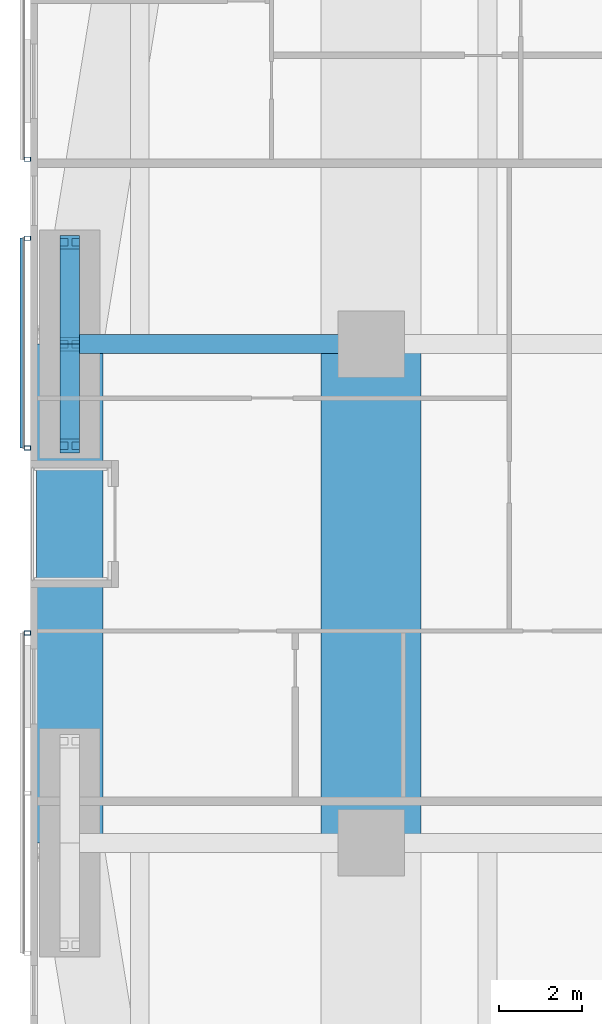
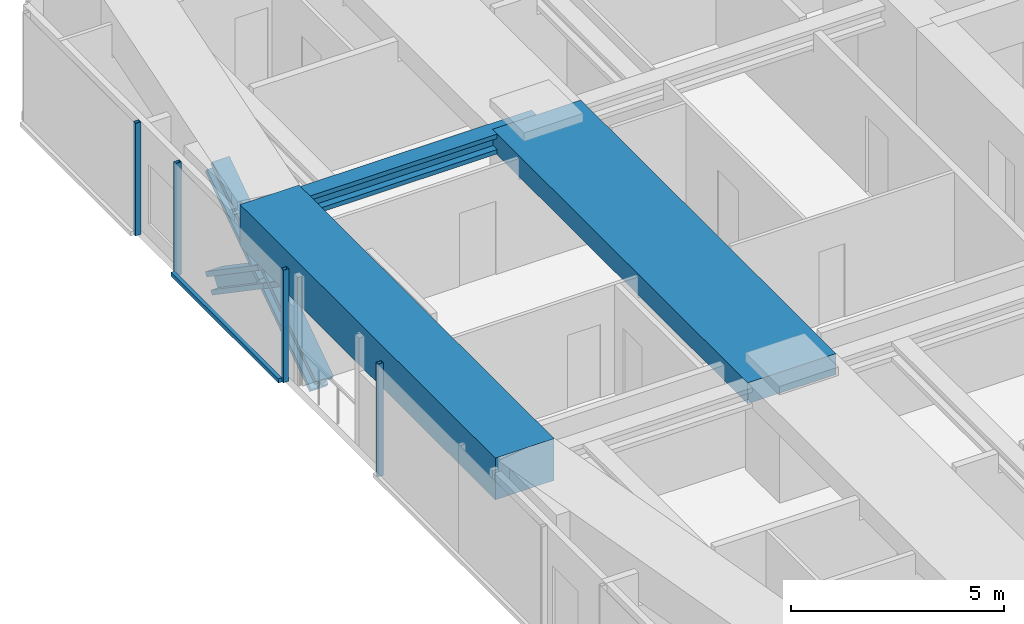
# One storey, part 5 of 22: 9 members, 3 beams, 3 elements without a shape of their own.
"""IFC4 building model written with IfcOpenShell, lengths in metres."""

from ifc_helpers import new_model, si_unit, direction, frame, origin, origin_2d, place, context, subcontext, project, spatial, rectangle, hollow_rectangle, i_section, extrude, material, material_profile, profile_set, type_object, element, aggregate, save


model = new_model("IFC4")

# Units and contexts
model_context = context("Model", 3, precision=1e-05, world=origin(), true_north=direction((0.0, 1.0)))
body_context = subcontext(model_context, "Body", "Model", "MODEL_VIEW")
ifc_project = project(units=[si_unit("LENGTHUNIT", "METRE"), si_unit("AREAUNIT", "SQUARE_METRE"), si_unit("VOLUMEUNIT", "CUBIC_METRE"), si_unit("PLANEANGLEUNIT", "RADIAN"), si_unit("MASSUNIT", "GRAM", prefix="KILO")], contexts=[model_context])

# Site, building, storey
site_placement = place(None, origin())
site = spatial("IfcSite", under=ifc_project, at=site_placement, CompositionType="ELEMENT")
building_placement = place(site_placement, origin())
building = spatial("IfcBuilding", under=site, at=building_placement, Name="Jalousie Tower", CompositionType="ELEMENT")
storey_placement = place(building_placement, frame((0.0, 0.0, 64.550048828125)))
storey = spatial("IfcBuildingStorey", under=building, at=storey_placement, Name="L17", CompositionType="ELEMENT", Elevation=64.550048828125)

# Beam
ifc_material_1 = material(Name="Steel ASTM A992 Grade 50", Category="steel")
ifc_material_profile_1 = material_profile(ifc_material_1, i_section(OverallWidth=0.45458984375, OverallDepth=0.569091796875, WebThickness=0.077880859375, FlangeThickness=0.124755859375, at=origin_2d()), Name="W14X730")
ifc_profile_set_1 = profile_set([ifc_material_profile_1], Name="Steel ASTM A992 Grade 50")
beam_type_1 = type_object("IfcBeamType", Name="LEAN COLLECTOR W14X730", PredefinedType="BEAM", material=ifc_profile_set_1)
beam_1_placement = place(storey_placement, frame((2.949951171875, 25.0, 2.825439453125), z_axis=(1.0, 0.0, 0.0), x_axis=(0.0, 1.0, 0.0)))
element("IfcBeam", 1, at=beam_1_placement, inside=storey, type_object=beam_type_1, Name="Lean collector under L18", PredefinedType="BEAM", context=body_context, shape_type="SweptSolid", body=[
    extrude(i_section(OverallWidth=0.45458984375, OverallDepth=0.569091796875, WebThickness=0.077880859375, FlangeThickness=0.124755859375, at=origin_2d()), origin(), (0.0, 0.0, 1.0), 7.25),
])

# Members
ifc_material_2 = material(Name="Steel ASTM A992 Grade 50", Category="steel")
ifc_material_profile_2 = material_profile(ifc_material_2, i_section(OverallWidth=0.472412109375, OverallDepth=0.5791015625, WebThickness=0.094970703125, FlangeThickness=0.1298828125, at=origin_2d()), Name="W14X808")
ifc_profile_set_2 = profile_set([ifc_material_profile_2], Name="Steel ASTM A992 Grade 50")
member_type_1 = type_object("IfcMemberType", Name="PERIMETER BRACE W14X808", PredefinedType="BRACE", material=ifc_profile_set_2)
for number, where, z_axis, x_axis, name in (
    (2, (2.949951171875, 22.550048828125, -0.60009765625), (0.0, 0.825500916831, 0.564400776321), (-1.0, 0.0, 0.0), "Perimeter brace 13 L17 part 1"),
    (3, (2.949951171875, 25.0, 1.074951171875), (0.0, 0.825500916831, 0.564400776321), (-1.0, 0.0, 0.0), "Perimeter brace 13 L17 part 2"),
    (4, (2.949951171875, 27.449951171875, -0.60009765625), (0.0, -0.825500916831, 0.564400776321), (1.0, 0.0, 0.0), "Perimeter brace 13 L17 part 3"),
    (5, (2.949951171875, 25.0, 1.074951171875), (0.0, -0.825500916831, 0.564400776321), (1.0, 0.0, 0.0), "Perimeter brace 13 L17 part 4"),
):
    element("IfcMember", number, at=place(storey_placement, frame(where, z_axis=z_axis, x_axis=x_axis)), inside=storey, type_object=member_type_1, Name=name, PredefinedType="BRACE", context=body_context, shape_type="SweptSolid", body=[
        extrude(i_section(OverallWidth=0.472412109375, OverallDepth=0.5791015625, WebThickness=0.094970703125, FlangeThickness=0.1298828125, at=origin_2d()), origin(), (0.0, 0.0, 1.0), 2.9677734375),
    ])

# Beams
ifc_material_3 = material(Name="Concrete f'c 40 MPa", Category="concrete")
ifc_material_profile_3 = material_profile(ifc_material_3, rectangle(XDim=1.60009765625, YDim=1.199951171875, at=origin_2d()), Name="RC 1600x1200")
ifc_profile_set_3 = profile_set([ifc_material_profile_3], Name="Concrete f'c 40 MPa")
beam_type_2 = type_object("IfcBeamType", Name="RC BEAM 1600x1200", PredefinedType="BEAM", material=ifc_profile_set_3)
beam_2_placement = place(storey_placement, frame((2.949951171875, 25.0, 2.75), z_axis=(0.0, -1.0, 0.0), x_axis=(1.0, 0.0, 0.0)))
element("IfcBeam", 6, at=beam_2_placement, inside=storey, type_object=beam_type_2, Name="Edge band beam 13-14 under L18", PredefinedType="BEAM", context=body_context, shape_type="SweptSolid", body=[
    extrude(rectangle(XDim=1.60009765625, YDim=1.199951171875, at=origin_2d()), origin(), (0.0, 0.0, 1.0), 12.0),
])
ifc_material_4 = material(Name="Concrete f'c 40 MPa", Category="concrete")
ifc_material_profile_4 = material_profile(ifc_material_4, rectangle(XDim=2.39990234375, YDim=0.60009765625, at=origin_2d()), Name="RC 2400x600")
ifc_profile_set_4 = profile_set([ifc_material_profile_4], Name="Concrete f'c 40 MPa")
beam_type_3 = type_object("IfcBeamType", Name="RC BEAM 2400x600", PredefinedType="BEAM", material=ifc_profile_set_4)
beam_3_placement = place(storey_placement, frame((10.199951171875, 13.0, 2.81005859375), z_axis=(0.0, 1.0, 0.0), x_axis=(-1.0, 0.0, 0.0)))
element("IfcBeam", 7, at=beam_3_placement, inside=storey, type_object=beam_type_3, Name="Floor band beam under L18", PredefinedType="BEAM", context=body_context, shape_type="SweptSolid", body=[
    extrude(rectangle(XDim=2.39990234375, YDim=0.60009765625, at=origin_2d()), origin(), (0.0, 0.0, 1.0), 12.0),
])

# Curtain wall, member
ifc_material_5 = material(Name="Perforated aluminium sheet", Category="aluminium")
curtain_wall_type = type_object("IfcCurtainWallType", Name="SOLAR SCREEN SS-1", PredefinedType="USERDEFINED", material=ifc_material_5)
curtain_wall_1_placement = place(storey_placement, origin())
curtain_wall_1 = element("IfcCurtainWall", 8, at=curtain_wall_1_placement, inside=storey, type_object=curtain_wall_type, Name="Solar screen L17", ObjectType="SOLAR SCREEN SS-1", PredefinedType="USERDEFINED")
ifc_material_6 = material(Name="Steel ASTM A500 Grade C", Category="steel")
ifc_material_profile_5 = material_profile(ifc_material_6, hollow_rectangle(XDim=0.1015625, YDim=0.15234375, WallThickness=0.00634765625, at=origin_2d()), Name="HSS6X4X1/4")
ifc_profile_set_5 = profile_set([ifc_material_profile_5], Name="Steel ASTM A500 Grade C")
member_type_2 = type_object("IfcMemberType", Name="SOLAR SCREEN SS-1 MULLION", PredefinedType="MULLION", material=ifc_profile_set_5)
member_1_placement = place(storey_placement, frame((1.9287109375, 29.449951171875, -0.1201171875), z_axis=(0.0, 0.0, 1.0), x_axis=(0.0, -1.0, 0.0)))
member_1 = element("IfcMember", 9, at=member_1_placement, type_object=member_type_2, Name="SS1 post 2", PredefinedType="MULLION", context=body_context, shape_type="SweptSolid", body=[
    extrude(hollow_rectangle(XDim=0.1015625, YDim=0.15234375, WallThickness=0.00634765625, at=origin_2d()), origin(), (0.0, 0.0, 1.0), 3.22998046875),
])
aggregate(curtain_wall_1, [member_1])

# Curtain wall, members
curtain_wall_2_placement = place(storey_placement, origin())
curtain_wall_2 = element("IfcCurtainWall", 10, at=curtain_wall_2_placement, inside=storey, type_object=curtain_wall_type, Name="Solar screen L17", ObjectType="SOLAR SCREEN SS-1", PredefinedType="USERDEFINED")
member_2_placement = place(storey_placement, frame((1.9287109375, 27.550048828125, -0.1201171875), z_axis=(0.0, 0.0, 1.0), x_axis=(0.0, -1.0, 0.0)))
member_2 = element("IfcMember", 11, at=member_2_placement, type_object=member_type_2, Name="SS1 post 1", PredefinedType="MULLION", context=body_context, shape_type="SweptSolid", body=[
    extrude(hollow_rectangle(XDim=0.1015625, YDim=0.15234375, WallThickness=0.00634765625, at=origin_2d()), origin(), (0.0, 0.0, 1.0), 3.22998046875),
])
member_3_placement = place(storey_placement, frame((1.9287109375, 22.5, -0.1201171875), z_axis=(0.0, 0.0, 1.0), x_axis=(0.0, -1.0, 0.0)))
member_3 = element("IfcMember", 12, at=member_3_placement, type_object=member_type_2, Name="SS1 post 2", PredefinedType="MULLION", context=body_context, shape_type="SweptSolid", body=[
    extrude(hollow_rectangle(XDim=0.1015625, YDim=0.15234375, WallThickness=0.00634765625, at=origin_2d()), origin(), (0.0, 0.0, 1.0), 3.22998046875),
])

# Curtain wall, member
curtain_wall_3_placement = place(storey_placement, origin())
curtain_wall_3 = element("IfcCurtainWall", 13, at=curtain_wall_3_placement, inside=storey, type_object=curtain_wall_type, Name="Solar screen L17", ObjectType="SOLAR SCREEN SS-1", PredefinedType="USERDEFINED")
member_4_placement = place(storey_placement, frame((1.9287109375, 18.050048828125, -0.1201171875), z_axis=(0.0, 0.0, 1.0), x_axis=(0.0, -1.0, 0.0)))
member_4 = element("IfcMember", 14, at=member_4_placement, type_object=member_type_2, Name="SS1 post 1", PredefinedType="MULLION", context=body_context, shape_type="SweptSolid", body=[
    extrude(hollow_rectangle(XDim=0.1015625, YDim=0.15234375, WallThickness=0.00634765625, at=origin_2d()), origin(), (0.0, 0.0, 1.0), 3.22998046875),
])
aggregate(curtain_wall_3, [member_4])

# Member
ifc_material_7 = material(Name="Extruded aluminium screen rail", Category="aluminium")
ifc_material_profile_6 = material_profile(ifc_material_7, rectangle(XDim=0.1015625, YDim=0.1201171875, at=origin_2d()), Name="RAIL 102x120")
ifc_profile_set_6 = profile_set([ifc_material_profile_6], Name="Extruded aluminium screen rail")
member_type_3 = type_object("IfcMemberType", Name="SOLAR SCREEN SS-1 TRANSOM", PredefinedType="USERDEFINED", material=ifc_profile_set_6)
member_5_placement = place(storey_placement, frame((1.8017578125, 27.550048828125, -0.06005859375), z_axis=(0.0, -1.0, 0.0), x_axis=(1.0, 0.0, 0.0)))
member_5 = element("IfcMember", 15, at=member_5_placement, type_object=member_type_3, Name="SS1 rail", ObjectType="TRANSOM", PredefinedType="USERDEFINED", context=body_context, shape_type="SweptSolid", body=[
    extrude(rectangle(XDim=0.1015625, YDim=0.1201171875, at=origin_2d()), origin(), (0.0, 0.0, 1.0), 5.050048828125),
])

aggregate(curtain_wall_2, [member_2, member_3, member_5])

save(model, "model.ifc")
